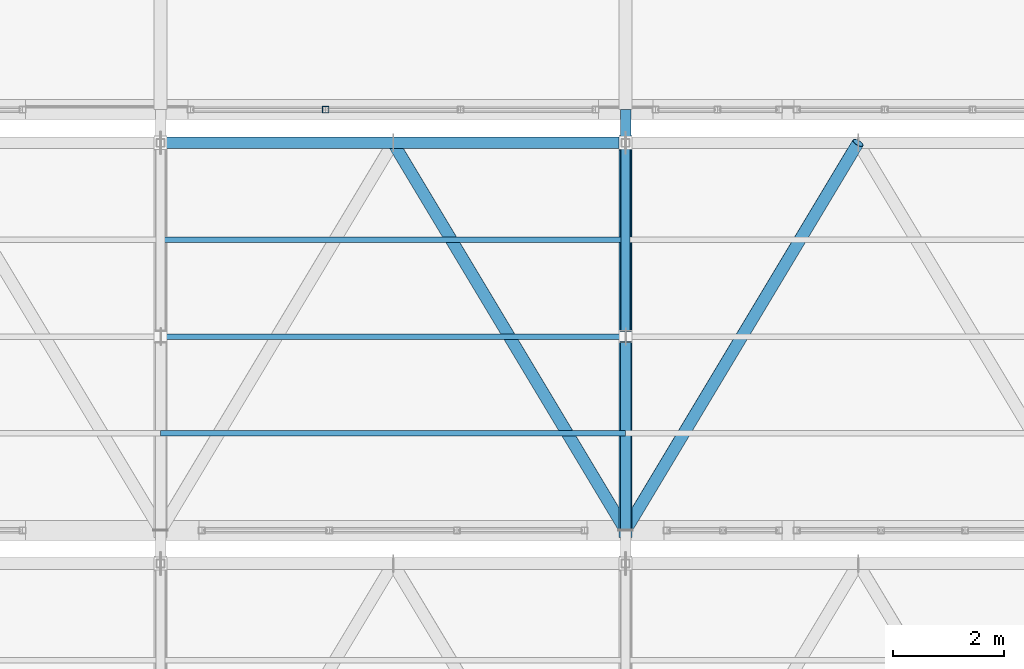
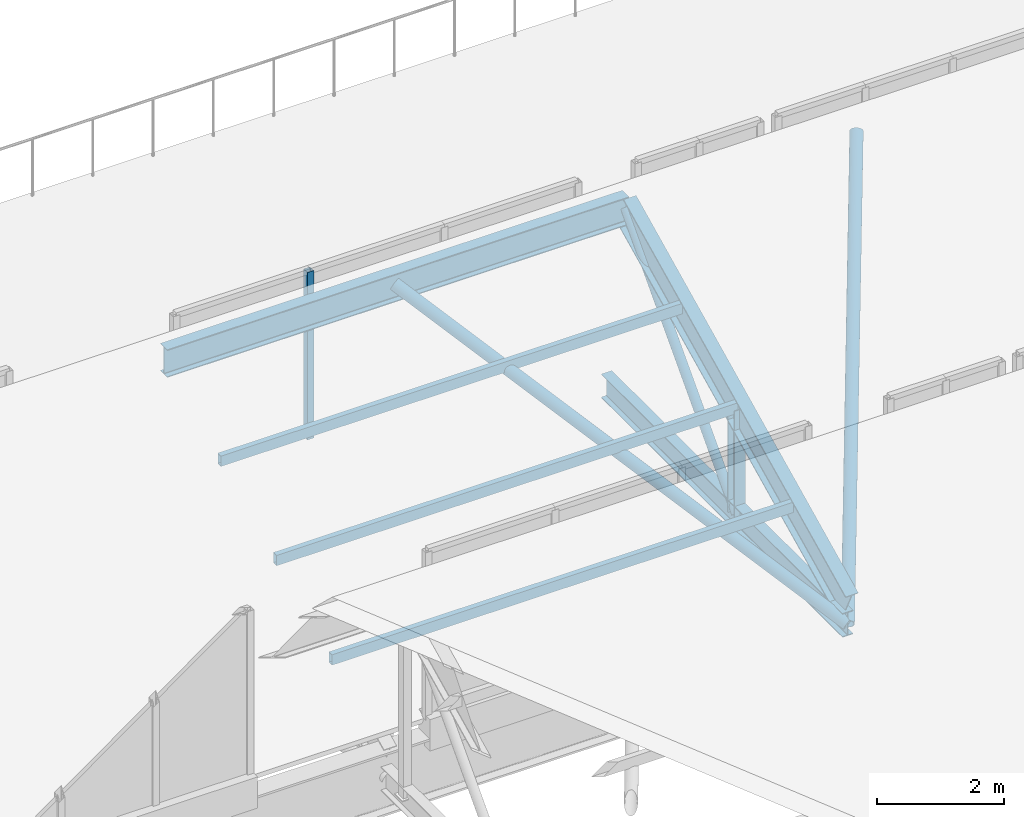
# One storey, part 34 of 57: 11 members, 1 element without a shape of its own.
"""IFC4 building model written with IfcOpenShell, lengths in metres."""

from ifc_helpers import new_model, si_unit, direction, frame, origin, origin_2d, place, context, subcontext, project, spatial, hollow_rectangle, hollow_circle, i_section, extrude, material, material_profile, profile_set, type_object, element, aggregate, save


model = new_model("IFC4")

# Units and contexts
model_context = context("Model", 3, precision=1e-05, world=origin(), true_north=direction((0.0, 1.0)))
body_context = subcontext(model_context, "Body", "Model", "MODEL_VIEW")
ifc_project = project(units=[si_unit("LENGTHUNIT", "METRE"), si_unit("AREAUNIT", "SQUARE_METRE"), si_unit("VOLUMEUNIT", "CUBIC_METRE"), si_unit("PLANEANGLEUNIT", "RADIAN"), si_unit("MASSUNIT", "GRAM", prefix="KILO")], contexts=[model_context])

# Site, building, storey
site_placement = place(None, origin())
site = spatial("IfcSite", under=ifc_project, at=site_placement, CompositionType="ELEMENT")
building_placement = place(site_placement, origin())
building = spatial("IfcBuilding", under=site, at=building_placement, Name="Zuvorla Pavilion Media Centre", CompositionType="ELEMENT")
storey_placement = place(building_placement, frame((0.0, 0.0, 18.0)))
storey = spatial("IfcBuildingStorey", under=building, at=storey_placement, Name="L04", CompositionType="ELEMENT", Elevation=18.0)

# Curtain wall, member
ifc_material_1 = material(Name="Unitised anodised aluminium and solar glass curtain wall", Category="aluminium")
curtain_wall_type = type_object("IfcCurtainWallType", Name="CW-SYS-97", PredefinedType="USERDEFINED", material=ifc_material_1)
curtain_wall_placement = place(storey_placement, origin())
curtain_wall = element("IfcCurtainWall", 1, at=curtain_wall_placement, inside=storey, type_object=curtain_wall_type, Name="L04 curtain wall CW97 248", ObjectType="CURTAIN WALL", PredefinedType="USERDEFINED")
ifc_material_2 = material(Name="Anodised aluminium 6063-T6", Category="aluminium")
ifc_material_profile_1 = material_profile(ifc_material_2, hollow_rectangle(XDim=0.1201171875, YDim=0.1201171875, WallThickness=0.0048828125, at=origin_2d()), Name="ALU MULL 120x120")
ifc_profile_set_1 = profile_set([ifc_material_profile_1], Name="Anodised aluminium 6063-T6")
member_type_1 = type_object("IfcMemberType", Name="CW-MULL-120", PredefinedType="MULLION", material=ifc_profile_set_1)
member_1_placement = place(storey_placement, frame((136.98095703125, 44.0, 0.0), z_axis=(0.0, 0.0, 1.0), x_axis=(1.0, 0.0, 0.0)))
member_1 = element("IfcMember", 2, at=member_1_placement, type_object=member_type_1, Name="CW97 mullion 2", PredefinedType="MULLION", context=body_context, shape_type="SweptSolid", body=[
    extrude(hollow_rectangle(XDim=0.1201171875, YDim=0.1201171875, WallThickness=0.0048828125, at=origin_2d()), origin(), (0.0, 0.0, 1.0), 3.219970703125),
])
aggregate(curtain_wall, [member_1])

# Members
ifc_material_3 = material(Name="Steel S355", Category="steel")
ifc_material_profile_2 = material_profile(ifc_material_3, hollow_circle(Radius=0.084228515625, WallThickness=0.008056640625, at=origin_2d()), Name="CHS 168.3x8")
ifc_profile_set_2 = profile_set([ifc_material_profile_2], Name="Steel S355")
member_type_2 = type_object("IfcMemberType", Name="MEM-BRC-CHS168", PredefinedType="BRACE", material=ifc_profile_set_2)
member_2_placement = place(storey_placement, frame((142.39990234375, 39.89990234375, -0.8798828125), z_axis=(0.0, 0.681156069412, 0.732138244529), x_axis=(-1.0, 0.0, 0.0)))
element("IfcMember", 3, at=member_2_placement, inside=storey, type_object=member_type_2, Name="L04 diagonal brace TB03 756", PredefinedType="BRACE", context=body_context, shape_type="SweptSolid", body=[
    extrude(hollow_circle(Radius=0.084228515625, WallThickness=0.008056640625, at=origin_2d()), origin(), (0.0, 0.0, 1.0), 5.138427734375),
])
ifc_material_profile_3 = material_profile(ifc_material_3, hollow_circle(Radius=0.109619140625, WallThickness=0.010009765625, at=origin_2d()), Name="CHS 219.1x10")
ifc_profile_set_3 = profile_set([ifc_material_profile_3], Name="Steel S355")
member_type_3 = type_object("IfcMemberType", Name="MEM-BRC-CHS219", PredefinedType="BRACE", material=ifc_profile_set_3)
for number, where, z_axis, x_axis, name in (
    (4, (138.199951171875, 43.39990234375, 2.882080078125), (0.46726169892, -0.778778552081, -0.418533716135), (0.857495564561, 0.514491357322, 0.0), "L04 diagonal brace TB02 782"),
    (5, (142.39990234375, 36.39990234375, -0.8798828125), (0.467282929861, 0.77876866804, 0.418528404221), (-0.857482370257, 0.514513347444, 0.0), "L04 diagonal brace TB02 787"),
):
    element("IfcMember", number, at=place(storey_placement, frame(where, z_axis=z_axis, x_axis=x_axis)), inside=storey, type_object=member_type_3, Name=name, PredefinedType="BRACE", context=body_context, shape_type="SweptSolid", body=[
        extrude(hollow_circle(Radius=0.109619140625, WallThickness=0.010009765625, at=origin_2d()), origin(), (0.0, 0.0, 1.0), 8.988525390625),
    ])
ifc_material_profile_4 = material_profile(ifc_material_3, i_section(OverallWidth=0.19140625, OverallDepth=0.4599609375, WebThickness=0.010009765625, FlangeThickness=0.01611328125, FilletRadius=0.01025390625, at=origin_2d()), Name="UB 457x191x82")
ifc_profile_set_4 = profile_set([ifc_material_profile_4], Name="Steel S355")
member_type_4 = type_object("IfcMemberType", Name="MEM-CHD-UB457", PredefinedType="CHORD", material=ifc_profile_set_4)
member_3_placement = place(storey_placement, frame((142.39990234375, 36.39990234375, -0.8798828125), z_axis=(0.0, 1.0, 0.0), x_axis=(-1.0, 0.0, 0.0)))
element("IfcMember", 6, at=member_3_placement, inside=storey, type_object=member_type_4, Name="L04 chord TC03 753", PredefinedType="CHORD", context=body_context, shape_type="SweptSolid", body=[
    extrude(i_section(OverallWidth=0.19140625, OverallDepth=0.4599609375, WebThickness=0.010009765625, FlangeThickness=0.01611328125, FilletRadius=0.01025390625, at=origin_2d()), origin(), (0.0, 0.0, 1.0), 7.60009765625),
])
ifc_material_profile_5 = material_profile(ifc_material_3, i_section(OverallWidth=0.2099609375, OverallDepth=0.53662109375, WebThickness=0.0107421875, FlangeThickness=0.017333984375, FilletRadius=0.0126953125, at=origin_2d()), Name="UB 533x210x101")
ifc_profile_set_5 = profile_set([ifc_material_profile_5], Name="Steel S355")
member_type_5 = type_object("IfcMemberType", Name="MEM-CHD-UB533", PredefinedType="CHORD", material=ifc_profile_set_5)
member_4_placement = place(storey_placement, frame((134.0, 43.39990234375, 2.882080078125), z_axis=(1.0, 0.0, 0.0), x_axis=(0.0, 1.0, 0.0)))
element("IfcMember", 7, at=member_4_placement, inside=storey, type_object=member_type_5, Name="L04 chord TC02 780", PredefinedType="CHORD", context=body_context, shape_type="SweptSolid", body=[
    extrude(i_section(OverallWidth=0.2099609375, OverallDepth=0.53662109375, WebThickness=0.0107421875, FlangeThickness=0.017333984375, FilletRadius=0.0126953125, at=origin_2d()), origin(), (0.0, 0.0, 1.0), 8.39990234375),
])
ifc_material_profile_6 = material_profile(ifc_material_3, i_section(OverallWidth=0.22900390625, OverallDepth=0.6123046875, WebThickness=0.011962890625, FlangeThickness=0.01953125, FilletRadius=0.0126953125, at=origin_2d()), Name="UB 610x229x125")
ifc_profile_set_6 = profile_set([ifc_material_profile_6], Name="Steel S355")
member_type_6 = type_object("IfcMemberType", Name="MEM-CHD-UB610", PredefinedType="CHORD", material=ifc_profile_set_6)
member_5_placement = place(storey_placement, frame((142.39990234375, 36.39990234375, -0.517822265625), z_axis=(0.0, 0.899513090263, 0.436893809117), x_axis=(-1.0, 0.0, 0.0)))
element("IfcMember", 8, at=member_5_placement, inside=storey, type_object=member_type_6, Name="L04 chord TC01 754", PredefinedType="CHORD", context=body_context, shape_type="SweptSolid", body=[
    extrude(i_section(OverallWidth=0.22900390625, OverallDepth=0.6123046875, WebThickness=0.011962890625, FlangeThickness=0.01953125, FilletRadius=0.0126953125, at=origin_2d()), origin(), (0.0, 0.0, 1.0), 7.781982421875),
])
ifc_material_profile_7 = material_profile(ifc_material_3, hollow_rectangle(XDim=0.10009765625, YDim=0.199951171875, WallThickness=0.008056640625, at=origin_2d()), Name="RHS 200x100x8")
ifc_profile_set_7 = profile_set([ifc_material_profile_7], Name="Steel S355")
member_type_7 = type_object("IfcMemberType", Name="MEM-PUR-RHS200", PredefinedType="PURLIN", material=ifc_profile_set_7)
for number, where, z_axis, x_axis, name in (
    (9, (134.0, 38.14990234375, 0.33203125), (1.0, 0.0, 0.0), (0.0, 1.0, 0.0), "L04 purlin PR01 783"),
    (10, (134.0, 39.89990234375, 1.18212890625), (1.0, 0.0, 0.0), (0.0, 1.0, 0.0), "L04 purlin PR01 784"),
    (11, (134.0, 41.64990234375, 2.031982421875), (1.0, 0.0, 0.0), (0.0, 1.0, 0.0), "L04 purlin PR01 785"),
):
    element("IfcMember", number, at=place(storey_placement, frame(where, z_axis=z_axis, x_axis=x_axis)), inside=storey, type_object=member_type_7, Name=name, PredefinedType="PURLIN", context=body_context, shape_type="SweptSolid", body=[
        extrude(hollow_rectangle(XDim=0.10009765625, YDim=0.199951171875, WallThickness=0.008056640625, at=origin_2d()), origin(), (0.0, 0.0, 1.0), 8.39990234375),
    ])
ifc_material_profile_8 = material_profile(ifc_material_3, i_section(OverallWidth=0.205810546875, OverallDepth=0.209716796875, WebThickness=0.009521484375, FlangeThickness=0.01416015625, FilletRadius=0.01025390625, at=origin_2d()), Name="UC 203x203x60")
ifc_profile_set_8 = profile_set([ifc_material_profile_8], Name="Steel S355")
member_type_8 = type_object("IfcMemberType", Name="MEM-STR-UC203", PredefinedType="STRUT", material=ifc_profile_set_8)
member_6_placement = place(storey_placement, frame((142.39990234375, 39.89990234375, -0.8798828125), z_axis=(0.0, 0.0, 1.0), x_axis=(1.0, 0.0, 0.0)))
element("IfcMember", 12, at=member_6_placement, inside=storey, type_object=member_type_8, Name="L04 vertical strut TS02 757", PredefinedType="STRUT", context=body_context, shape_type="SweptSolid", body=[
    extrude(i_section(OverallWidth=0.205810546875, OverallDepth=0.209716796875, WebThickness=0.009521484375, FlangeThickness=0.01416015625, FilletRadius=0.01025390625, at=origin_2d()), origin(), (0.0, 0.0, 1.0), 2.06201171875),
])

save(model, "model.ifc")
